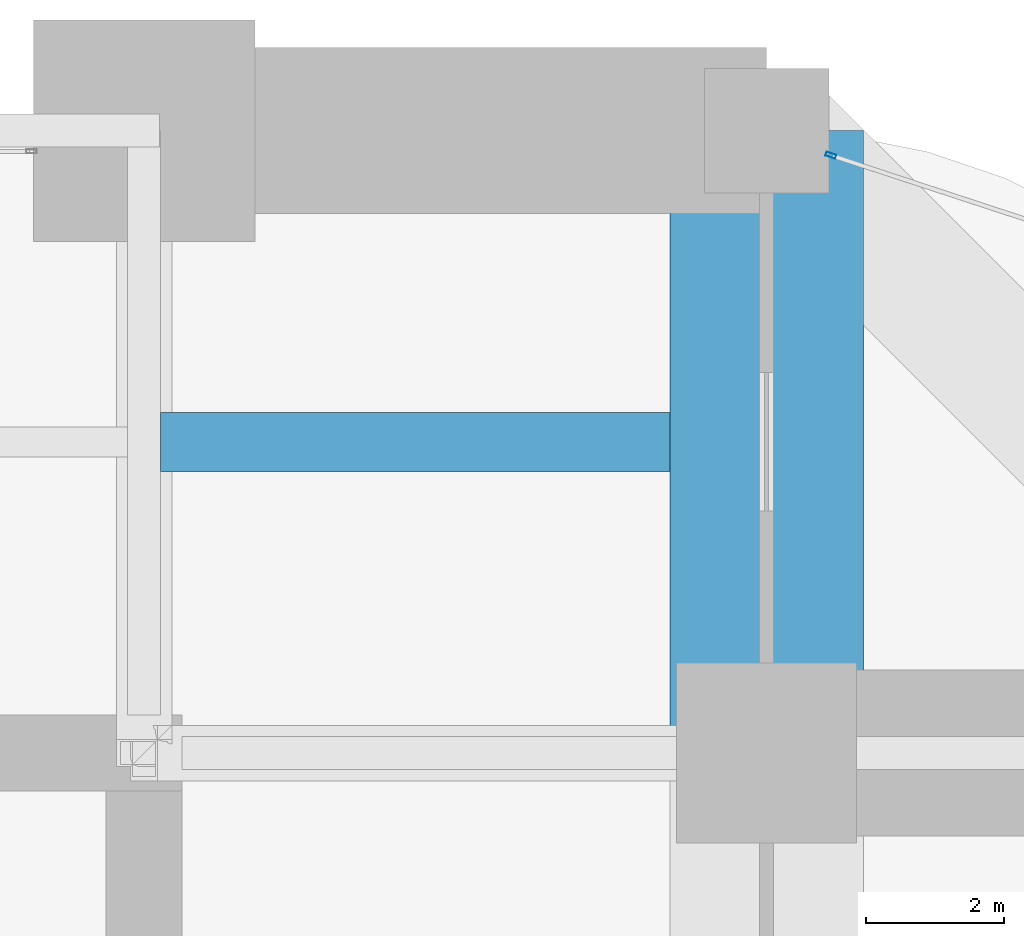
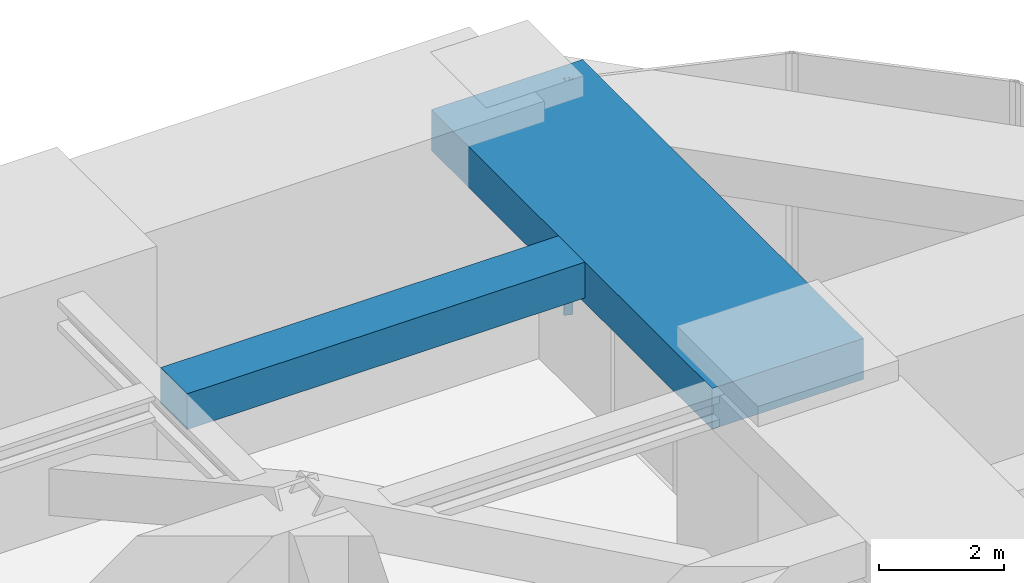
# One storey, part 32 of 38: 2 beams, 1 member, 1 element without a shape of its own.
"""IFC4 building model written with IfcOpenShell, lengths in metres."""

from ifc_helpers import new_model, si_unit, direction, frame, origin, origin_2d, place, context, subcontext, project, spatial, rectangle, hollow_rectangle, extrude, material, material_profile, profile_set, type_object, element, aggregate, save


model = new_model("IFC4")

# Units and contexts
model_context = context("Model", 3, precision=1e-05, world=origin(), true_north=direction((0.0, 1.0)))
body_context = subcontext(model_context, "Body", "Model", "MODEL_VIEW")
ifc_project = project(units=[si_unit("LENGTHUNIT", "METRE"), si_unit("AREAUNIT", "SQUARE_METRE"), si_unit("VOLUMEUNIT", "CUBIC_METRE"), si_unit("PLANEANGLEUNIT", "RADIAN"), si_unit("MASSUNIT", "GRAM", prefix="KILO")], contexts=[model_context])

# Site, building, storey
site_placement = place(None, origin())
site = spatial("IfcSite", under=ifc_project, at=site_placement, CompositionType="ELEMENT")
building_placement = place(site_placement, origin())
building = spatial("IfcBuilding", under=site, at=building_placement, Name="Zorevar Civic Tower", CompositionType="ELEMENT")
storey_placement = place(building_placement, frame((0.0, 0.0, 157.199951171875)))
storey = spatial("IfcBuildingStorey", under=building, at=storey_placement, Name="L38", CompositionType="ELEMENT", Elevation=157.199951171875)

# Beams
ifc_material_1 = material(Name="Concrete C50/60", Category="concrete")
ifc_material_profile_1 = material_profile(ifc_material_1, rectangle(XDim=2.800048828125, YDim=0.800048828125, at=origin_2d()), Name="RC 2800x800")
ifc_profile_set_1 = profile_set([ifc_material_profile_1], Name="Concrete C50/60")
beam_type_1 = type_object("IfcBeamType", Name="Beam RC 2800x800", PredefinedType="BEAM", material=ifc_profile_set_1)
beam_1_placement = place(storey_placement, frame((54.0, 36.0, 4.199951171875), z_axis=(0.0, 1.0, 0.0), x_axis=(-1.0, 0.0, 0.0)))
element("IfcBeam", 1, at=beam_1_placement, inside=storey, type_object=beam_type_1, Name="Girder L39", PredefinedType="BEAM", context=body_context, shape_type="SweptSolid", body=[
    extrude(rectangle(XDim=2.800048828125, YDim=0.800048828125, at=origin_2d()), origin(), (0.0, 0.0, 1.0), 9.0),
])
ifc_material_2 = material(Name="Concrete C50/60", Category="concrete")
ifc_material_profile_2 = material_profile(ifc_material_2, rectangle(XDim=0.85009765625, YDim=0.699951171875, at=origin_2d()), Name="RC 850x700")
ifc_profile_set_2 = profile_set([ifc_material_profile_2], Name="Concrete C50/60")
beam_type_2 = type_object("IfcBeamType", Name="Beam RC 850x700", PredefinedType="BEAM", material=ifc_profile_set_2)
beam_2_placement = place(storey_placement, frame((45.238037109375, 40.5, 4.25), z_axis=(1.0, 0.0, 0.0), x_axis=(0.0, 1.0, 0.0)))
element("IfcBeam", 2, at=beam_2_placement, inside=storey, type_object=beam_type_2, Name="Secondary beam L39", PredefinedType="BEAM", context=body_context, shape_type="SweptSolid", body=[
    extrude(rectangle(XDim=0.85009765625, YDim=0.699951171875, at=origin_2d()), origin(), (0.0, 0.0, 1.0), 7.362060546875),
])

# Curtain wall, member
ifc_material_3 = material(Name="Black aluminium louvres", Category="aluminium")
curtain_wall_type = type_object("IfcCurtainWallType", Name="Louvred curtain wall CW6 refuge", PredefinedType="NOTDEFINED", material=ifc_material_3)
curtain_wall_placement = place(storey_placement, origin())
curtain_wall = element("IfcCurtainWall", 3, at=curtain_wall_placement, inside=storey, type_object=curtain_wall_type, Name="CW6 L38", PredefinedType="NOTDEFINED")
ifc_material_4 = material(Name="Aluminium, black anodised", Category="aluminium")
ifc_material_profile_3 = material_profile(ifc_material_4, hollow_rectangle(XDim=0.06005859375, YDim=0.14990234375, WallThickness=0.00390625, at=origin_2d()), Name="AL 150x60x4")
ifc_profile_set_3 = profile_set([ifc_material_profile_3], Name="Aluminium, black anodised")
member_type = type_object("IfcMemberType", Name="CW6 mullion AL 150x60x4", PredefinedType="MULLION", material=ifc_profile_set_3)
member_placement = place(storey_placement, frame((54.928466796875, 44.64404296875, 0.0), z_axis=(0.0, 0.0, 1.0), x_axis=(-0.31203637361, -0.950070156117, 0.0)))
member = element("IfcMember", 4, at=member_placement, type_object=member_type, Name="CW6 mullion 2", PredefinedType="MULLION", context=body_context, shape_type="SweptSolid", body=[
    extrude(hollow_rectangle(XDim=0.06005859375, YDim=0.14990234375, WallThickness=0.00390625, at=origin_2d()), origin(), (0.0, 0.0, 1.0), 4.60009765625),
])
aggregate(curtain_wall, [member])

save(model, "model.ifc")
